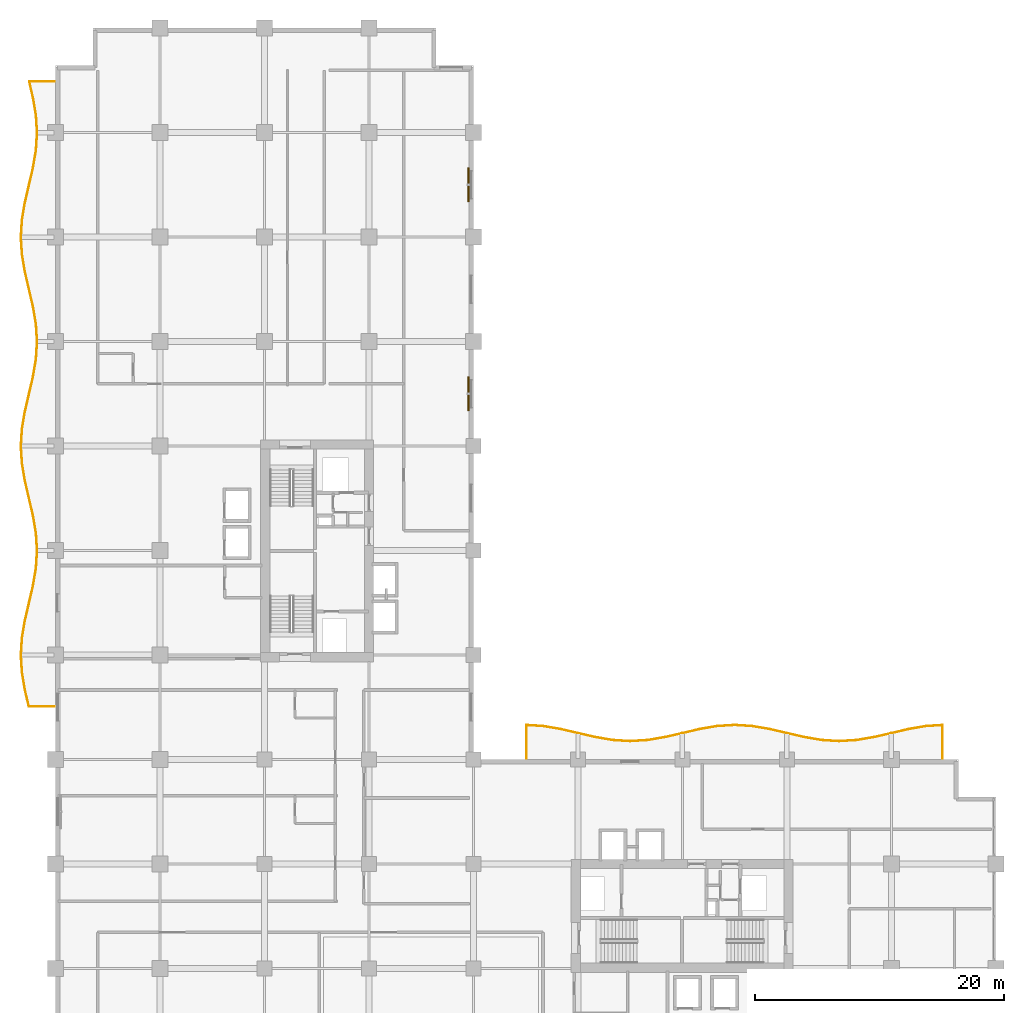
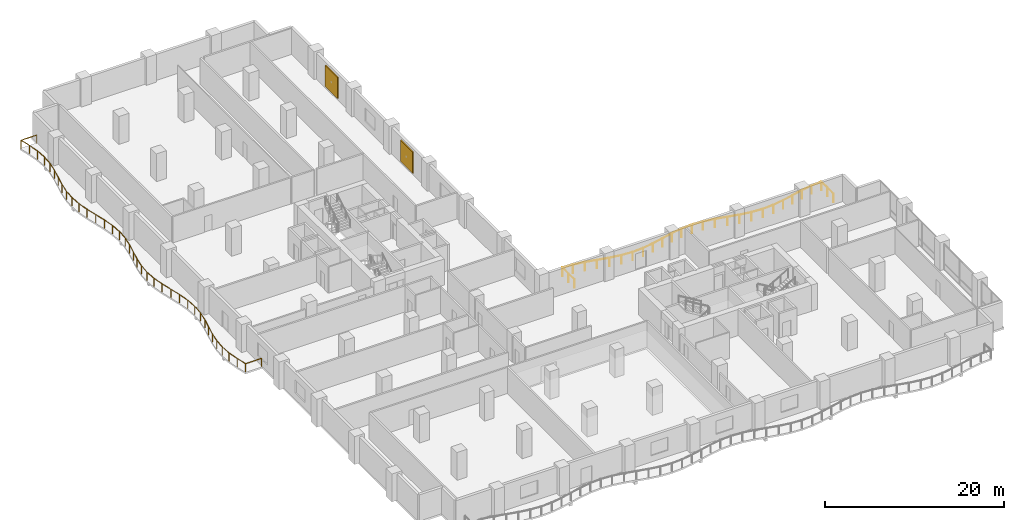
# One storey, part 23 of 23: 2 railings, 2 shading devices.
"""IFC4 building model written with IfcOpenShell, lengths in metres."""

from ifc_helpers import new_model, si_unit, direction, frame, origin, origin_2d, place, context, subcontext, project, spatial, rectangle, circle, extrude, material, layer, layer_set, type_object, element, save


model = new_model("IFC4")

# Units and contexts
model_context = context("Model", 3, precision=1e-05, world=origin(), true_north=direction((0.0, 1.0)))
body_context = subcontext(model_context, "Body", "Model", "MODEL_VIEW")
ifc_project = project(units=[si_unit("LENGTHUNIT", "METRE"), si_unit("AREAUNIT", "SQUARE_METRE"), si_unit("VOLUMEUNIT", "CUBIC_METRE"), si_unit("PLANEANGLEUNIT", "RADIAN"), si_unit("MASSUNIT", "GRAM", prefix="KILO")], contexts=[model_context])

# Site, building, storey
site_placement = place(None, origin())
site = spatial("IfcSite", under=ifc_project, at=site_placement, CompositionType="ELEMENT")
building_placement = place(site_placement, origin())
building = spatial("IfcBuilding", under=site, at=building_placement, Name="Koriwani Terraces Tower", CompositionType="ELEMENT")
storey_placement = place(building_placement, frame((0.0, 0.0, 134.199951171875)))
storey = spatial("IfcBuildingStorey", under=building, at=storey_placement, Name="L32", CompositionType="ELEMENT", Elevation=134.199951171875)

# Railings
ifc_material_1 = material(Name="Steel ASTM A572 Grade 50", Category="steel")
railing_type = type_object("IfcRailingType", Name="GUARD_BALUSTRADE_1150", PredefinedType="BALUSTRADE", material=ifc_material_1)
railing_1_placement = place(storey_placement, frame((-0.080078125, 37.8798828125, 0.0)))
element("IfcRailing", 1, at=railing_1_placement, inside=storey, type_object=railing_type, Name="L32 Balcony Perimeter Safety Balustrade (W)", PredefinedType="BALUSTRADE", context=body_context, shape_type="SweptSolid", body=[
    extrude(circle(Radius=0.02392578125, at=origin_2d()), frame((0.0, 0.0, 1.1259765625), z_axis=(-1.0, 0.0, 0.0), x_axis=(0.0, -1.0, 0.0)), (0.0, 0.0, 1.0), 2.056396484375),
    extrude(circle(Radius=0.02392578125, at=origin_2d()), frame((-2.056396484375, 0.0, 1.1259765625), z_axis=(-0.226081445763, 0.974108402531, 0.0), x_axis=(-0.974108402531, -0.226081445763, 0.0)), (0.0, 0.0, 1.0), 1.371337890625),
    extrude(circle(Radius=0.02392578125, at=origin_2d()), frame((-2.366455078125, 1.3359375, 1.1259765625), z_axis=(-0.167563594016, 0.985861269125, 0.0), x_axis=(-0.985861269125, -0.167563594016, 0.0)), (0.0, 0.0, 1.0), 1.413330078125),
    extrude(circle(Radius=0.02392578125, at=origin_2d()), frame((-2.603271484375, 2.729248046875, 1.1259765625), z_axis=(-0.062018352335, 0.998075009192, 0.0), x_axis=(-0.998075009192, -0.062018352335, 0.0)), (0.0, 0.0, 1.0), 1.3935546875),
    extrude(circle(Radius=0.02392578125, at=origin_2d()), frame((-2.689697265625, 4.1201171875, 1.1259765625), z_axis=(0.062018352335, 0.998075009192, 0.0), x_axis=(-0.998075009192, 0.062018352335, 0.0)), (0.0, 0.0, 1.0), 1.3935546875),
    extrude(circle(Radius=0.02392578125, at=origin_2d()), frame((-2.603271484375, 5.510986328125, 1.1259765625), z_axis=(0.167563594016, 0.985861269125, 0.0), x_axis=(-0.985861269125, 0.167563594016, 0.0)), (0.0, 0.0, 1.0), 1.413330078125),
    extrude(circle(Radius=0.02392578125, at=origin_2d()), frame((-2.366455078125, 6.904296875, 1.1259765625), z_axis=(0.226093729043, 0.974105551615, 0.0), x_axis=(-0.974105551615, 0.226093729043, 0.0)), (0.0, 0.0, 1.0), 2.87451171875),
    extrude(circle(Radius=0.02392578125, at=origin_2d()), frame((-1.716552734375, 9.704345703125, 1.1259765625), z_axis=(0.167533954852, 0.985866306337, 0.0), x_axis=(-0.985866306337, 0.167533954852, 0.0)), (0.0, 0.0, 1.0), 1.4267578125),
    extrude(circle(Radius=0.02392578125, at=origin_2d()), frame((-1.4775390625, 11.11083984375, 1.1259765625), z_axis=(0.061904605217, 0.9980820707, 0.0), x_axis=(-0.9980820707, 0.061904605217, 0.0)), (0.0, 0.0, 1.0), 1.411865234375),
    extrude(circle(Radius=0.02392578125, at=origin_2d()), frame((-1.39013671875, 12.52001953125, 1.1259765625), z_axis=(-0.061904605217, 0.9980820707, 0.0), x_axis=(-0.9980820707, -0.061904605217, 0.0)), (0.0, 0.0, 1.0), 1.411865234375),
    extrude(circle(Radius=0.02392578125, at=origin_2d()), frame((-1.4775390625, 13.92919921875, 1.1259765625), z_axis=(-0.16750569507, 0.985871108269, 0.0), x_axis=(-0.985871108269, -0.16750569507, 0.0)), (0.0, 0.0, 1.0), 1.427001953125),
    extrude(circle(Radius=0.02392578125, at=origin_2d()), frame((-1.716552734375, 15.3359375, 1.1259765625), z_axis=(-0.226093729043, 0.974105551615, 0.0), x_axis=(-0.974105551615, -0.226093729043, 0.0)), (0.0, 0.0, 1.0), 2.87451171875),
    extrude(circle(Radius=0.02392578125, at=origin_2d()), frame((-2.366455078125, 18.135986328125, 1.1259765625), z_axis=(-0.167563594016, 0.985861269125, 0.0), x_axis=(-0.985861269125, -0.167563594016, 0.0)), (0.0, 0.0, 1.0), 1.413330078125),
    extrude(circle(Radius=0.02392578125, at=origin_2d()), frame((-2.603271484375, 19.529296875, 1.1259765625), z_axis=(-0.062018352335, 0.998075009192, 0.0), x_axis=(-0.998075009192, -0.062018352335, 0.0)), (0.0, 0.0, 1.0), 1.3935546875),
    extrude(circle(Radius=0.02392578125, at=origin_2d()), frame((-2.689697265625, 20.920166015625, 1.1259765625), z_axis=(0.062018352335, 0.998075009192, 0.0), x_axis=(-0.998075009192, 0.062018352335, 0.0)), (0.0, 0.0, 1.0), 1.3935546875),
    extrude(circle(Radius=0.02392578125, at=origin_2d()), frame((-2.603271484375, 22.31103515625, 1.1259765625), z_axis=(0.167563594016, 0.985861269125, 0.0), x_axis=(-0.985861269125, 0.167563594016, 0.0)), (0.0, 0.0, 1.0), 1.413330078125),
    extrude(circle(Radius=0.02392578125, at=origin_2d()), frame((-2.366455078125, 23.704345703125, 1.1259765625), z_axis=(0.226093729043, 0.974105551615, 0.0), x_axis=(-0.974105551615, 0.226093729043, 0.0)), (0.0, 0.0, 1.0), 2.87451171875),
    extrude(circle(Radius=0.02392578125, at=origin_2d()), frame((-1.716552734375, 26.50439453125, 1.1259765625), z_axis=(0.167533954852, 0.985866306337, 0.0), x_axis=(-0.985866306337, 0.167533954852, 0.0)), (0.0, 0.0, 1.0), 1.4267578125),
    extrude(circle(Radius=0.02392578125, at=origin_2d()), frame((-1.4775390625, 27.910888671875, 1.1259765625), z_axis=(0.061904605217, 0.9980820707, 0.0), x_axis=(-0.9980820707, 0.061904605217, 0.0)), (0.0, 0.0, 1.0), 1.411865234375),
    extrude(circle(Radius=0.02392578125, at=origin_2d()), frame((-1.39013671875, 29.320068359375, 1.1259765625), z_axis=(-0.061904605217, 0.9980820707, 0.0), x_axis=(-0.9980820707, -0.061904605217, 0.0)), (0.0, 0.0, 1.0), 1.411865234375),
    extrude(circle(Radius=0.02392578125, at=origin_2d()), frame((-1.4775390625, 30.729248046875, 1.1259765625), z_axis=(-0.167533954852, 0.985866306337, 0.0), x_axis=(-0.985866306337, -0.167533954852, 0.0)), (0.0, 0.0, 1.0), 1.4267578125),
    extrude(circle(Radius=0.02392578125, at=origin_2d()), frame((-1.716552734375, 32.1357421875, 1.1259765625), z_axis=(-0.226075024805, 0.974109892753, 0.0), x_axis=(-0.974109892753, -0.226075024805, 0.0)), (0.0, 0.0, 1.0), 2.874755859375),
    extrude(circle(Radius=0.02392578125, at=origin_2d()), frame((-2.366455078125, 34.93603515625, 1.1259765625), z_axis=(-0.167563594016, 0.985861269125, 0.0), x_axis=(-0.985861269125, -0.167563594016, 0.0)), (0.0, 0.0, 1.0), 1.413330078125),
    extrude(circle(Radius=0.02392578125, at=origin_2d()), frame((-2.603271484375, 36.329345703125, 1.1259765625), z_axis=(-0.062018352335, 0.998075009192, 0.0), x_axis=(-0.998075009192, -0.062018352335, 0.0)), (0.0, 0.0, 1.0), 1.3935546875),
    extrude(circle(Radius=0.02392578125, at=origin_2d()), frame((-2.689697265625, 37.72021484375, 1.1259765625), z_axis=(0.062029198499, 0.998074335174, 0.0), x_axis=(-0.998074335174, 0.062029198499, 0.0)), (0.0, 0.0, 1.0), 1.393310546875),
    extrude(circle(Radius=0.02392578125, at=origin_2d()), frame((-2.603271484375, 39.11083984375, 1.1259765625), z_axis=(0.167535062128, 0.985866118171, 0.0), x_axis=(-0.985866118171, 0.167535062128, 0.0)), (0.0, 0.0, 1.0), 1.41357421875),
    extrude(circle(Radius=0.02392578125, at=origin_2d()), frame((-2.366455078125, 40.50439453125, 1.1259765625), z_axis=(0.226093729043, 0.974105551615, 0.0), x_axis=(-0.974105551615, 0.226093729043, 0.0)), (0.0, 0.0, 1.0), 2.87451171875),
    extrude(circle(Radius=0.02392578125, at=origin_2d()), frame((-1.716552734375, 43.304443359375, 1.1259765625), z_axis=(0.167533954852, 0.985866306337, 0.0), x_axis=(-0.985866306337, 0.167533954852, 0.0)), (0.0, 0.0, 1.0), 1.4267578125),
    extrude(circle(Radius=0.02392578125, at=origin_2d()), frame((-1.4775390625, 44.7109375, 1.1259765625), z_axis=(0.061904605217, 0.9980820707, 0.0), x_axis=(-0.9980820707, 0.061904605217, 0.0)), (0.0, 0.0, 1.0), 1.411865234375),
    extrude(circle(Radius=0.02392578125, at=origin_2d()), frame((-1.39013671875, 46.1201171875, 1.1259765625), z_axis=(-0.061904605217, 0.9980820707, 0.0), x_axis=(-0.9980820707, -0.061904605217, 0.0)), (0.0, 0.0, 1.0), 1.411865234375),
    extrude(circle(Radius=0.02392578125, at=origin_2d()), frame((-1.4775390625, 47.529296875, 1.1259765625), z_axis=(-0.167533954852, 0.985866306337, 0.0), x_axis=(-0.985866306337, -0.167533954852, 0.0)), (0.0, 0.0, 1.0), 1.4267578125),
    extrude(circle(Radius=0.02392578125, at=origin_2d()), frame((-1.716552734375, 48.935791015625, 1.1259765625), z_axis=(-0.226071012836, 0.974110823857, 0.0), x_axis=(-0.974110823857, -0.226071012836, 0.0)), (0.0, 0.0, 1.0), 1.339111328125),
    extrude(circle(Radius=0.02392578125, at=origin_2d()), frame((-2.019287109375, 50.240234375, 1.1259765625), z_axis=(1.0, 0.0, 0.0), x_axis=(0.0, 1.0, 0.0)), (0.0, 0.0, 1.0), 2.019287109375),
    extrude(circle(Radius=0.02099609375, at=origin_2d()), origin(), (0.0, 0.0, 1.0), 1.101806640625),
    extrude(circle(Radius=0.02099609375, at=origin_2d()), frame((-2.056396484375, 0.0, 0.0)), (0.0, 0.0, 1.0), 1.101806640625),
    extrude(circle(Radius=0.02099609375, at=origin_2d()), frame((-2.366455078125, 1.3359375, 0.0)), (0.0, 0.0, 1.0), 1.101806640625),
    extrude(circle(Radius=0.02099609375, at=origin_2d()), frame((-2.603271484375, 2.729248046875, 0.0)), (0.0, 0.0, 1.0), 1.101806640625),
    extrude(circle(Radius=0.02099609375, at=origin_2d()), frame((-2.689697265625, 4.1201171875, 0.0)), (0.0, 0.0, 1.0), 1.101806640625),
    extrude(circle(Radius=0.02099609375, at=origin_2d()), frame((-2.603271484375, 5.510986328125, 0.0)), (0.0, 0.0, 1.0), 1.101806640625),
    extrude(circle(Radius=0.02099609375, at=origin_2d()), frame((-2.366455078125, 6.904296875, 0.0)), (0.0, 0.0, 1.0), 1.101806640625),
    extrude(circle(Radius=0.02099609375, at=origin_2d()), frame((-2.04150390625, 8.30419921875, 0.0)), (0.0, 0.0, 1.0), 1.101806640625),
    extrude(circle(Radius=0.02099609375, at=origin_2d()), frame((-1.716552734375, 9.704345703125, 0.0)), (0.0, 0.0, 1.0), 1.101806640625),
    extrude(circle(Radius=0.02099609375, at=origin_2d()), frame((-1.4775390625, 11.11083984375, 0.0)), (0.0, 0.0, 1.0), 1.101806640625),
    extrude(circle(Radius=0.02099609375, at=origin_2d()), frame((-1.39013671875, 12.52001953125, 0.0)), (0.0, 0.0, 1.0), 1.101806640625),
    extrude(circle(Radius=0.02099609375, at=origin_2d()), frame((-1.4775390625, 13.92919921875, 0.0)), (0.0, 0.0, 1.0), 1.101806640625),
    extrude(circle(Radius=0.02099609375, at=origin_2d()), frame((-1.716552734375, 15.3359375, 0.0)), (0.0, 0.0, 1.0), 1.101806640625),
    extrude(circle(Radius=0.02099609375, at=origin_2d()), frame((-2.04150390625, 16.73583984375, 0.0)), (0.0, 0.0, 1.0), 1.101806640625),
    extrude(circle(Radius=0.02099609375, at=origin_2d()), frame((-2.366455078125, 18.135986328125, 0.0)), (0.0, 0.0, 1.0), 1.101806640625),
    extrude(circle(Radius=0.02099609375, at=origin_2d()), frame((-2.603271484375, 19.529296875, 0.0)), (0.0, 0.0, 1.0), 1.101806640625),
    extrude(circle(Radius=0.02099609375, at=origin_2d()), frame((-2.689697265625, 20.920166015625, 0.0)), (0.0, 0.0, 1.0), 1.101806640625),
    extrude(circle(Radius=0.02099609375, at=origin_2d()), frame((-2.603271484375, 22.31103515625, 0.0)), (0.0, 0.0, 1.0), 1.101806640625),
    extrude(circle(Radius=0.02099609375, at=origin_2d()), frame((-2.366455078125, 23.704345703125, 0.0)), (0.0, 0.0, 1.0), 1.101806640625),
    extrude(circle(Radius=0.02099609375, at=origin_2d()), frame((-2.04150390625, 25.1044921875, 0.0)), (0.0, 0.0, 1.0), 1.101806640625),
    extrude(circle(Radius=0.02099609375, at=origin_2d()), frame((-1.716552734375, 26.50439453125, 0.0)), (0.0, 0.0, 1.0), 1.101806640625),
    extrude(circle(Radius=0.02099609375, at=origin_2d()), frame((-1.4775390625, 27.910888671875, 0.0)), (0.0, 0.0, 1.0), 1.101806640625),
    extrude(circle(Radius=0.02099609375, at=origin_2d()), frame((-1.39013671875, 29.320068359375, 0.0)), (0.0, 0.0, 1.0), 1.101806640625),
    extrude(circle(Radius=0.02099609375, at=origin_2d()), frame((-1.4775390625, 30.729248046875, 0.0)), (0.0, 0.0, 1.0), 1.101806640625),
    extrude(circle(Radius=0.02099609375, at=origin_2d()), frame((-1.716552734375, 32.1357421875, 0.0)), (0.0, 0.0, 1.0), 1.101806640625),
    extrude(circle(Radius=0.02099609375, at=origin_2d()), frame((-2.04150390625, 33.535888671875, 0.0)), (0.0, 0.0, 1.0), 1.101806640625),
    extrude(circle(Radius=0.02099609375, at=origin_2d()), frame((-2.366455078125, 34.93603515625, 0.0)), (0.0, 0.0, 1.0), 1.101806640625),
    extrude(circle(Radius=0.02099609375, at=origin_2d()), frame((-2.603271484375, 36.329345703125, 0.0)), (0.0, 0.0, 1.0), 1.101806640625),
    extrude(circle(Radius=0.02099609375, at=origin_2d()), frame((-2.689697265625, 37.72021484375, 0.0)), (0.0, 0.0, 1.0), 1.101806640625),
    extrude(circle(Radius=0.02099609375, at=origin_2d()), frame((-2.603271484375, 39.11083984375, 0.0)), (0.0, 0.0, 1.0), 1.101806640625),
    extrude(circle(Radius=0.02099609375, at=origin_2d()), frame((-2.366455078125, 40.50439453125, 0.0)), (0.0, 0.0, 1.0), 1.101806640625),
    extrude(circle(Radius=0.02099609375, at=origin_2d()), frame((-2.04150390625, 41.904296875, 0.0)), (0.0, 0.0, 1.0), 1.101806640625),
    extrude(circle(Radius=0.02099609375, at=origin_2d()), frame((-1.716552734375, 43.304443359375, 0.0)), (0.0, 0.0, 1.0), 1.101806640625),
    extrude(circle(Radius=0.02099609375, at=origin_2d()), frame((-1.4775390625, 44.7109375, 0.0)), (0.0, 0.0, 1.0), 1.101806640625),
    extrude(circle(Radius=0.02099609375, at=origin_2d()), frame((-1.39013671875, 46.1201171875, 0.0)), (0.0, 0.0, 1.0), 1.101806640625),
    extrude(circle(Radius=0.02099609375, at=origin_2d()), frame((-1.4775390625, 47.529296875, 0.0)), (0.0, 0.0, 1.0), 1.101806640625),
    extrude(circle(Radius=0.02099609375, at=origin_2d()), frame((-1.716552734375, 48.935791015625, 0.0)), (0.0, 0.0, 1.0), 1.101806640625),
    extrude(circle(Radius=0.02099609375, at=origin_2d()), frame((-2.019287109375, 50.240234375, 0.0)), (0.0, 0.0, 1.0), 1.101806640625),
    extrude(circle(Radius=0.02099609375, at=origin_2d()), frame((0.0, 50.240234375, 0.0)), (0.0, 0.0, 1.0), 1.101806640625),
])
railing_2_placement = place(storey_placement, frame((71.320068359375, 33.679931640625, 0.0)))
element("IfcRailing", 2, at=railing_2_placement, inside=storey, type_object=railing_type, Name="L32 Balcony Perimeter Safety Balustrade (NE)", PredefinedType="BALUSTRADE", context=body_context, shape_type="SweptSolid", body=[
    extrude(circle(Radius=0.02392578125, at=origin_2d()), frame((0.0, 0.0, 1.1259765625), z_axis=(0.0, 1.0, 0.0), x_axis=(-1.0, 0.0, 0.0)), (0.0, 0.0, 1.0), 2.68505859375),
    extrude(circle(Radius=0.02392578125, at=origin_2d()), frame((0.0, 2.68505859375, 1.1259765625), z_axis=(-0.998059082917, -0.062274127915, 0.0), x_axis=(0.062274127915, -0.998059082917, 0.0)), (0.0, 0.0, 1.0), 1.313232421875),
    extrude(circle(Radius=0.02392578125, at=origin_2d()), frame((-1.310791015625, 2.603271484375, 1.1259765625), z_axis=(-0.985866118171, -0.167535062128, 0.0), x_axis=(0.167535062128, -0.985866118171, 0.0)), (0.0, 0.0, 1.0), 1.41357421875),
    extrude(circle(Radius=0.02392578125, at=origin_2d()), frame((-2.704345703125, 2.366455078125, 1.1259765625), z_axis=(-0.974105551615, -0.226093729043, 0.0), x_axis=(0.226093729043, -0.974105551615, 0.0)), (0.0, 0.0, 1.0), 2.87451171875),
    extrude(circle(Radius=0.02392578125, at=origin_2d()), frame((-5.50439453125, 1.716552734375, 1.1259765625), z_axis=(-0.985894557597, -0.167367623213, 0.0), x_axis=(0.167367623213, -0.985894557597, 0.0)), (0.0, 0.0, 1.0), 1.426513671875),
    extrude(circle(Radius=0.02392578125, at=origin_2d()), frame((-6.910888671875, 1.477783203125, 1.1259765625), z_axis=(-0.9980820707, -0.061904605217, 0.0), x_axis=(0.061904605217, -0.9980820707, 0.0)), (0.0, 0.0, 1.0), 1.411865234375),
    extrude(circle(Radius=0.02392578125, at=origin_2d()), frame((-8.320068359375, 1.390380859375, 1.1259765625), z_axis=(-0.9980820707, 0.061904605217, 0.0), x_axis=(-0.061904605217, -0.9980820707, 0.0)), (0.0, 0.0, 1.0), 1.411865234375),
    extrude(circle(Radius=0.02392578125, at=origin_2d()), frame((-9.729248046875, 1.477783203125, 1.1259765625), z_axis=(-0.985894557597, 0.167367623213, 0.0), x_axis=(-0.167367623213, -0.985894557597, 0.0)), (0.0, 0.0, 1.0), 1.426513671875),
    extrude(circle(Radius=0.02392578125, at=origin_2d()), frame((-11.1357421875, 1.716552734375, 1.1259765625), z_axis=(-0.974105551615, 0.226093729043, 0.0), x_axis=(-0.226093729043, -0.974105551615, 0.0)), (0.0, 0.0, 1.0), 2.87451171875),
    extrude(circle(Radius=0.02392578125, at=origin_2d()), frame((-13.935791015625, 2.366455078125, 1.1259765625), z_axis=(-0.985866118171, 0.167535062128, 0.0), x_axis=(-0.167535062128, -0.985866118171, 0.0)), (0.0, 0.0, 1.0), 1.41357421875),
    extrude(circle(Radius=0.02392578125, at=origin_2d()), frame((-15.329345703125, 2.603271484375, 1.1259765625), z_axis=(-0.998063471972, 0.062203745181, 0.0), x_axis=(-0.062203745181, -0.998063471972, 0.0)), (0.0, 0.0, 1.0), 1.393310546875),
    extrude(circle(Radius=0.02392578125, at=origin_2d()), frame((-16.719970703125, 2.68994140625, 1.1259765625), z_axis=(-0.998064149781, -0.062192868733, 0.0), x_axis=(0.062192868733, -0.998064149781, 0.0)), (0.0, 0.0, 1.0), 1.3935546875),
    extrude(circle(Radius=0.02392578125, at=origin_2d()), frame((-18.11083984375, 2.603271484375, 1.1259765625), z_axis=(-0.985861269125, -0.167563594016, 0.0), x_axis=(0.167563594016, -0.985861269125, 0.0)), (0.0, 0.0, 1.0), 1.413330078125),
    extrude(circle(Radius=0.02392578125, at=origin_2d()), frame((-19.504150390625, 2.366455078125, 1.1259765625), z_axis=(-0.974109892753, -0.226075024805, 0.0), x_axis=(0.226075024805, -0.974109892753, 0.0)), (0.0, 0.0, 1.0), 2.874755859375),
    extrude(circle(Radius=0.02392578125, at=origin_2d()), frame((-22.304443359375, 1.716552734375, 1.1259765625), z_axis=(-0.985894557597, -0.167367623213, 0.0), x_axis=(0.167367623213, -0.985894557597, 0.0)), (0.0, 0.0, 1.0), 1.426513671875),
    extrude(circle(Radius=0.02392578125, at=origin_2d()), frame((-23.7109375, 1.477783203125, 1.1259765625), z_axis=(-0.9980820707, -0.061904605217, 0.0), x_axis=(0.061904605217, -0.9980820707, 0.0)), (0.0, 0.0, 1.0), 1.411865234375),
    extrude(circle(Radius=0.02392578125, at=origin_2d()), frame((-25.1201171875, 1.390380859375, 1.1259765625), z_axis=(-0.9980820707, 0.061904605217, 0.0), x_axis=(-0.061904605217, -0.9980820707, 0.0)), (0.0, 0.0, 1.0), 1.411865234375),
    extrude(circle(Radius=0.02392578125, at=origin_2d()), frame((-26.529296875, 1.477783203125, 1.1259765625), z_axis=(-0.985894557597, 0.167367623213, 0.0), x_axis=(-0.167367623213, -0.985894557597, 0.0)), (0.0, 0.0, 1.0), 1.426513671875),
    extrude(circle(Radius=0.02392578125, at=origin_2d()), frame((-27.935791015625, 1.716552734375, 1.1259765625), z_axis=(-0.974105551615, 0.226093729043, 0.0), x_axis=(-0.226093729043, -0.974105551615, 0.0)), (0.0, 0.0, 1.0), 2.87451171875),
    extrude(circle(Radius=0.02392578125, at=origin_2d()), frame((-30.73583984375, 2.366455078125, 1.1259765625), z_axis=(-0.985861269125, 0.167563594016, 0.0), x_axis=(-0.167563594016, -0.985861269125, 0.0)), (0.0, 0.0, 1.0), 1.413330078125),
    extrude(circle(Radius=0.02392578125, at=origin_2d()), frame((-32.129150390625, 2.603271484375, 1.1259765625), z_axis=(-0.998059803621, 0.062262576204, 0.0), x_axis=(-0.062262576204, -0.998059803621, 0.0)), (0.0, 0.0, 1.0), 1.3134765625),
    extrude(circle(Radius=0.02392578125, at=origin_2d()), frame((-33.440185546875, 2.68505859375, 1.1259765625), z_axis=(0.0, -1.0, 0.0), x_axis=(1.0, 0.0, 0.0)), (0.0, 0.0, 1.0), 2.68505859375),
    extrude(circle(Radius=0.02099609375, at=origin_2d()), origin(), (0.0, 0.0, 1.0), 1.101806640625),
    extrude(circle(Radius=0.02099609375, at=origin_2d()), frame((0.0, 1.342529296875, 0.0)), (0.0, 0.0, 1.0), 1.101806640625),
    extrude(circle(Radius=0.02099609375, at=origin_2d()), frame((0.0, 2.68505859375, 0.0)), (0.0, 0.0, 1.0), 1.101806640625),
    extrude(circle(Radius=0.02099609375, at=origin_2d()), frame((-1.310791015625, 2.603271484375, 0.0)), (0.0, 0.0, 1.0), 1.101806640625),
    extrude(circle(Radius=0.02099609375, at=origin_2d()), frame((-2.704345703125, 2.366455078125, 0.0)), (0.0, 0.0, 1.0), 1.101806640625),
    extrude(circle(Radius=0.02099609375, at=origin_2d()), frame((-4.1044921875, 2.04150390625, 0.0)), (0.0, 0.0, 1.0), 1.101806640625),
    extrude(circle(Radius=0.02099609375, at=origin_2d()), frame((-5.50439453125, 1.716552734375, 0.0)), (0.0, 0.0, 1.0), 1.101806640625),
    extrude(circle(Radius=0.02099609375, at=origin_2d()), frame((-6.910888671875, 1.477783203125, 0.0)), (0.0, 0.0, 1.0), 1.101806640625),
    extrude(circle(Radius=0.02099609375, at=origin_2d()), frame((-8.320068359375, 1.390380859375, 0.0)), (0.0, 0.0, 1.0), 1.101806640625),
    extrude(circle(Radius=0.02099609375, at=origin_2d()), frame((-9.729248046875, 1.477783203125, 0.0)), (0.0, 0.0, 1.0), 1.101806640625),
    extrude(circle(Radius=0.02099609375, at=origin_2d()), frame((-11.1357421875, 1.716552734375, 0.0)), (0.0, 0.0, 1.0), 1.101806640625),
    extrude(circle(Radius=0.02099609375, at=origin_2d()), frame((-12.53564453125, 2.04150390625, 0.0)), (0.0, 0.0, 1.0), 1.101806640625),
    extrude(circle(Radius=0.02099609375, at=origin_2d()), frame((-13.935791015625, 2.366455078125, 0.0)), (0.0, 0.0, 1.0), 1.101806640625),
    extrude(circle(Radius=0.02099609375, at=origin_2d()), frame((-15.329345703125, 2.603271484375, 0.0)), (0.0, 0.0, 1.0), 1.101806640625),
    extrude(circle(Radius=0.02099609375, at=origin_2d()), frame((-16.719970703125, 2.68994140625, 0.0)), (0.0, 0.0, 1.0), 1.101806640625),
    extrude(circle(Radius=0.02099609375, at=origin_2d()), frame((-18.11083984375, 2.603271484375, 0.0)), (0.0, 0.0, 1.0), 1.101806640625),
    extrude(circle(Radius=0.02099609375, at=origin_2d()), frame((-19.504150390625, 2.366455078125, 0.0)), (0.0, 0.0, 1.0), 1.101806640625),
    extrude(circle(Radius=0.02099609375, at=origin_2d()), frame((-20.904296875, 2.04150390625, 0.0)), (0.0, 0.0, 1.0), 1.101806640625),
    extrude(circle(Radius=0.02099609375, at=origin_2d()), frame((-22.304443359375, 1.716552734375, 0.0)), (0.0, 0.0, 1.0), 1.101806640625),
    extrude(circle(Radius=0.02099609375, at=origin_2d()), frame((-23.7109375, 1.477783203125, 0.0)), (0.0, 0.0, 1.0), 1.101806640625),
    extrude(circle(Radius=0.02099609375, at=origin_2d()), frame((-25.1201171875, 1.390380859375, 0.0)), (0.0, 0.0, 1.0), 1.101806640625),
    extrude(circle(Radius=0.02099609375, at=origin_2d()), frame((-26.529296875, 1.477783203125, 0.0)), (0.0, 0.0, 1.0), 1.101806640625),
    extrude(circle(Radius=0.02099609375, at=origin_2d()), frame((-27.935791015625, 1.716552734375, 0.0)), (0.0, 0.0, 1.0), 1.101806640625),
    extrude(circle(Radius=0.02099609375, at=origin_2d()), frame((-29.3359375, 2.04150390625, 0.0)), (0.0, 0.0, 1.0), 1.101806640625),
    extrude(circle(Radius=0.02099609375, at=origin_2d()), frame((-30.73583984375, 2.366455078125, 0.0)), (0.0, 0.0, 1.0), 1.101806640625),
    extrude(circle(Radius=0.02099609375, at=origin_2d()), frame((-32.129150390625, 2.603271484375, 0.0)), (0.0, 0.0, 1.0), 1.101806640625),
    extrude(circle(Radius=0.02099609375, at=origin_2d()), frame((-33.440185546875, 2.68505859375, 0.0)), (0.0, 0.0, 1.0), 1.101806640625),
    extrude(circle(Radius=0.02099609375, at=origin_2d()), frame((-33.440185546875, 1.342529296875, 0.0)), (0.0, 0.0, 1.0), 1.101806640625),
    extrude(circle(Radius=0.02099609375, at=origin_2d()), frame((-33.440185546875, 0.0, 0.0)), (0.0, 0.0, 1.0), 1.101806640625),
])

# Shading devices
ifc_material_2 = material(Name="Extruded Terracotta Clay", Category="masonry")
ifc_layer = layer(ifc_material_2, 0.1201171875, Name="Extruded Terracotta Clay")
ifc_layer_set = layer_set([ifc_layer], Name="Extruded Terracotta Clay")
shading_device_type = type_object("IfcShadingDeviceType", Name="TERRACOTTA_BAGUETTE_SCREEN_2800", PredefinedType="USERDEFINED", material=ifc_layer_set)
for number, where, z_axis, x_axis, name in (
    (3, (33.195068359375, 63.0, 0.3251953125), (0.0, 0.0, 1.0), (0.0, -1.0, 0.0), "L32 Extruded Terracotta Baguette Screen (NW_IN-11)"),
    (4, (33.195068359375, 79.800048828125, 0.3251953125), (0.0, 0.0, 1.0), (0.0, -1.0, 0.0), "L32 Extruded Terracotta Baguette Screen (NW_IN-17)"),
):
    element("IfcShadingDevice", number, at=place(storey_placement, frame(where, z_axis=z_axis, x_axis=x_axis)), inside=storey, type_object=shading_device_type, Name=name, ObjectType="BAGUETTE", PredefinedType="USERDEFINED", context=body_context, shape_type="SweptSolid", body=[
        extrude(rectangle(XDim=2.760009765625, YDim=0.1201171875, at=origin_2d()), origin(), (0.0, 0.0, 1.0), 2.89990234375),
    ])

save(model, "model.ifc")
